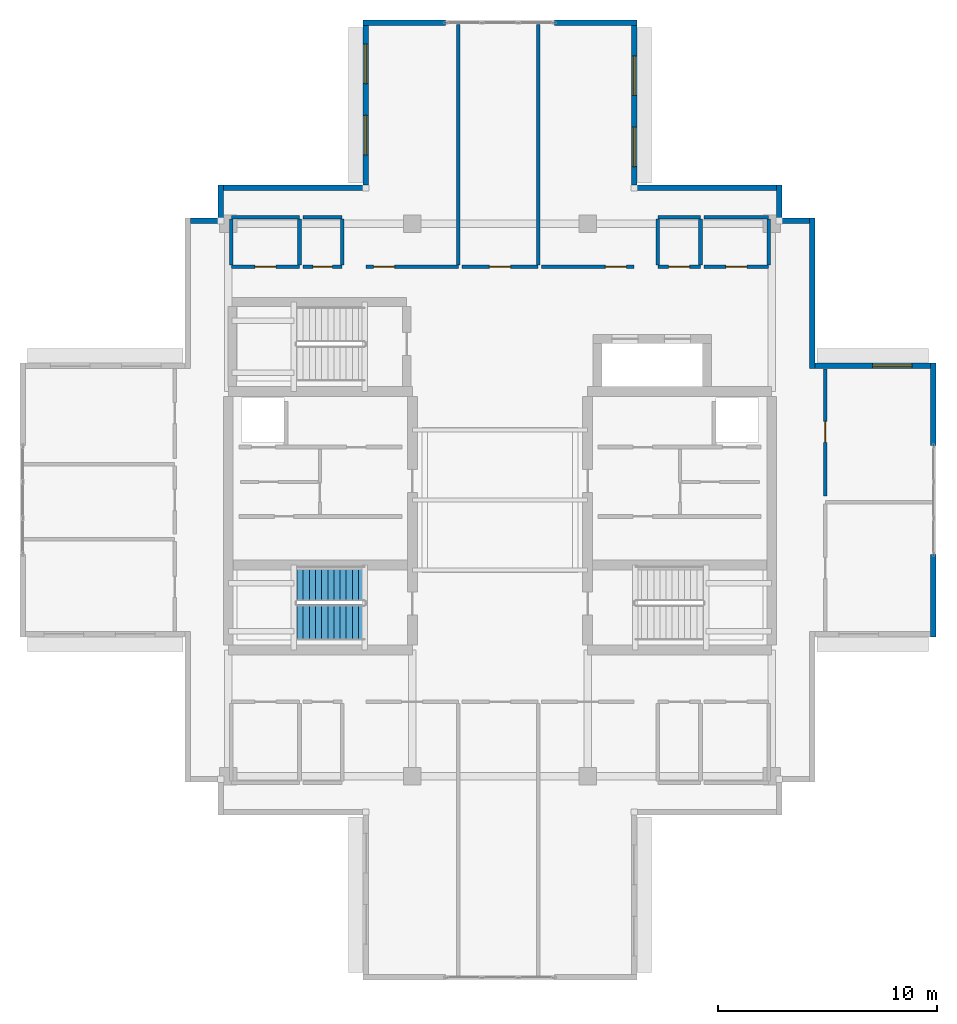
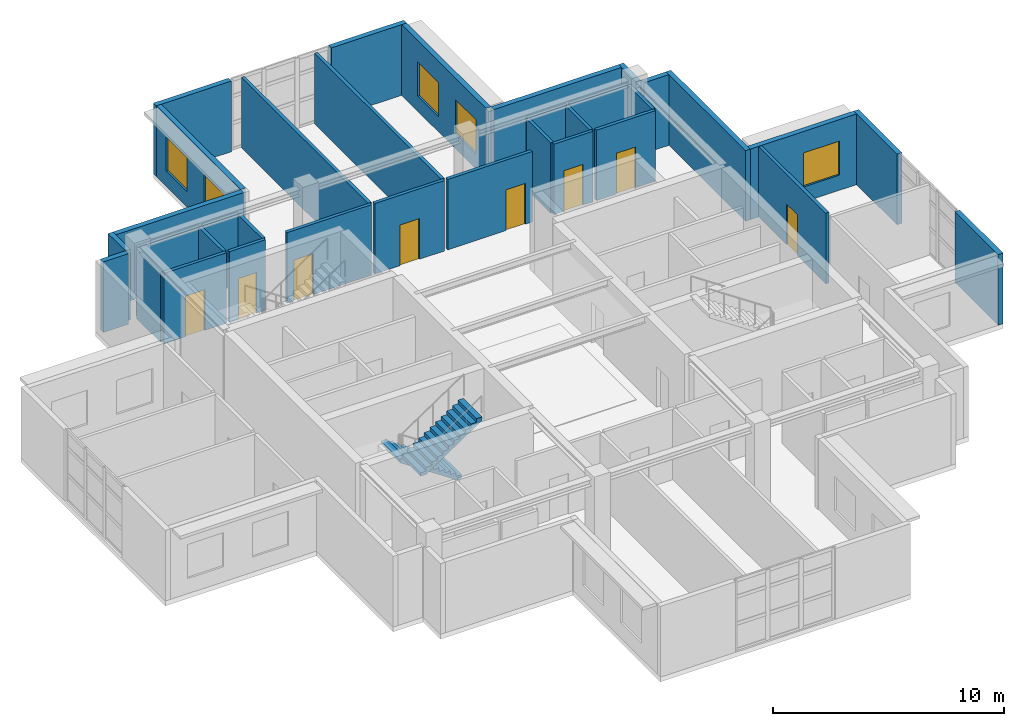
# One storey, part 12 of 16: 34 walls, 8 doors, 5 windows, 2 stair flights, 13 openings, 1 element without a shape of its own.
"""IFC4 building model written with IfcOpenShell, lengths in metres."""

from ifc_helpers import new_model, si_unit, direction, frame, frame_2d, origin, place, context, subcontext, project, spatial, polyline, rectangle, outline, extrude, material, layer, layer_set, type_object, element, fill, aggregate, save


model = new_model("IFC4")

# Units and contexts
model_context = context("Model", 3, precision=1e-05, world=origin(), true_north=direction((0.0, 1.0)))
body_context = subcontext(model_context, "Body", "Model", "MODEL_VIEW")
ifc_project = project(units=[si_unit("LENGTHUNIT", "METRE"), si_unit("AREAUNIT", "SQUARE_METRE"), si_unit("VOLUMEUNIT", "CUBIC_METRE"), si_unit("PLANEANGLEUNIT", "RADIAN"), si_unit("MASSUNIT", "GRAM", prefix="KILO")], contexts=[model_context])

# Site, building, storey
site_placement = place(None, origin())
site = spatial("IfcSite", under=ifc_project, at=site_placement, CompositionType="ELEMENT")
building_placement = place(site_placement, origin())
building = spatial("IfcBuilding", under=site, at=building_placement, Name="Qingluan Cross Belvedere", CompositionType="ELEMENT")
storey_placement = place(building_placement, frame((0.0, 0.0, 308.39990234375)))
storey = spatial("IfcBuildingStorey", under=building, at=storey_placement, Name="L76", CompositionType="ELEMENT", Elevation=308.39990234375)

# Wall, opening, door
ifc_material_1 = material(Name="Gypsum plasterboard on steel stud acoustic partition", Category="steel")
ifc_layer_1 = layer(ifc_material_1, 0.159912109375, Name="CorridorPartition_160")
ifc_layer_set_1 = layer_set([ifc_layer_1], Name="Gypsum plasterboard on steel stud acoustic partition")
wall_type_1 = type_object("IfcWallType", Name="CorridorPartition_160", PredefinedType="PARTITIONING", material=ifc_layer_set_1)
wall_1_placement = place(storey_placement, frame((-6.1201171875, 10.64990234375, 0.0), z_axis=(0.0, 0.0, 1.0), x_axis=(1.0, 0.0, 0.0)))
wall_1 = element("IfcWall", 1, at=wall_1_placement, inside=storey, type_object=wall_type_1, Name="Partition L76:sr_n1:S", PredefinedType="PARTITIONING", context=body_context, shape_type="SweptSolid", body=[
    extrude(rectangle(XDim=4.22021484375, YDim=0.159912109375, at=frame_2d((2.110107421875, 0.0))), origin(), (0.0, 0.0, 1.0), 3.72021484375),
])
opening_1_placement = place(wall_1_placement, frame((0.35009765625, 0.0, 0.0)))
opening_1 = element("IfcOpeningElement", 2, at=opening_1_placement, cuts=wall_1, Name="Opening GD-10", PredefinedType="OPENING", context=body_context, shape_type="SweptSolid", body=[
    extrude(rectangle(XDim=0.9599609375, YDim=2.14990234375, at=frame_2d((0.47998046875, 1.074951171875))), frame((0.0, 0.08984375, 0.0), z_axis=(0.0, -1.0, 0.0), x_axis=(1.0, 0.0, 0.0)), (0.0, 0.0, 1.0), 0.179931640625),
])
ifc_material_2 = material(Name="Timber oak fire-rated acoustic guestroom door", Category="wood")
door_type_1 = type_object("IfcDoorType", Name="GuestEntryDoor_FD60", OperationType="NOTDEFINED", PredefinedType="DOOR", material=ifc_material_2)
door_1_placement = place(opening_1_placement, origin())
door_1 = element("IfcDoor", 3, at=door_1_placement, inside=storey, type_object=door_type_1, Name="Upper sky dining room A L76 door", OperationType="SINGLE_SWING_RIGHT", OverallHeight=2.14990234375, OverallWidth=0.9599609375, PredefinedType="DOOR", context=body_context, shape_type="SweptSolid", body=[
    extrude(rectangle(XDim=0.9599609375, YDim=2.14990234375, at=frame_2d((0.47998046875, 1.074951171875))), frame((0.0, 0.02490234375, 0.0), z_axis=(0.0, -1.0, 0.0), x_axis=(1.0, 0.0, 0.0)), (0.0, 0.0, 1.0), 0.050048828125),
])
fill(opening_1, door_1)

# Wall
wall_2_placement = place(storey_placement, frame((-1.89990234375, 10.735107421875, 0.0), z_axis=(0.0, 0.0, 1.0), x_axis=(0.0, 1.0, 0.0)))
element("IfcWall", 4, at=wall_2_placement, inside=storey, type_object=wall_type_1, Name="Partition L76:sr_n1:E", PredefinedType="PARTITIONING", context=body_context, shape_type="SweptSolid", body=[
    extrude(rectangle(XDim=10.9599609375, YDim=0.159912109375, at=frame_2d((5.47998046875, 0.0))), origin(), (0.0, 0.0, 1.0), 3.72021484375),
])

# Wall, opening, door
wall_3_placement = place(storey_placement, frame((-1.739990234375, 10.64990234375, 0.0), z_axis=(0.0, 0.0, 1.0), x_axis=(1.0, 0.0, 0.0)))
wall_3 = element("IfcWall", 5, at=wall_3_placement, inside=storey, type_object=wall_type_1, Name="Partition L76:sr_n2:S", PredefinedType="PARTITIONING", context=body_context, shape_type="SweptSolid", body=[
    extrude(rectangle(XDim=3.47998046875, YDim=0.159912109375, at=frame_2d((1.739990234375, 0.0))), origin(), (0.0, 0.0, 1.0), 3.72021484375),
])
opening_2_placement = place(wall_3_placement, frame((1.260009765625, 0.0, 0.0)))
opening_2 = element("IfcOpeningElement", 6, at=opening_2_placement, cuts=wall_3, Name="Opening GD-10", PredefinedType="OPENING", context=body_context, shape_type="SweptSolid", body=[
    extrude(rectangle(XDim=0.9599609375, YDim=2.14990234375, at=frame_2d((0.47998046875, 1.074951171875))), frame((0.0, 0.08984375, 0.0), z_axis=(0.0, -1.0, 0.0), x_axis=(1.0, 0.0, 0.0)), (0.0, 0.0, 1.0), 0.179931640625),
])
door_2_placement = place(opening_2_placement, origin())
door_2 = element("IfcDoor", 7, at=door_2_placement, inside=storey, type_object=door_type_1, Name="Upper sky dining room B L76 door", OperationType="SINGLE_SWING_LEFT", OverallHeight=2.14990234375, OverallWidth=0.9599609375, PredefinedType="DOOR", context=body_context, shape_type="SweptSolid", body=[
    extrude(rectangle(XDim=0.9599609375, YDim=2.14990234375, at=frame_2d((0.47998046875, 1.074951171875))), frame((0.0, 0.02490234375, 0.0), z_axis=(0.0, -1.0, 0.0), x_axis=(1.0, 0.0, 0.0)), (0.0, 0.0, 1.0), 0.050048828125),
])
fill(opening_2, door_2)

# Wall
wall_4_placement = place(storey_placement, frame((1.739990234375, 10.735107421875, 0.0), z_axis=(0.0, 0.0, 1.0), x_axis=(0.0, 1.0, 0.0)))
element("IfcWall", 8, at=wall_4_placement, inside=storey, type_object=wall_type_1, Name="Partition L76:sr_n2:E", PredefinedType="PARTITIONING", context=body_context, shape_type="SweptSolid", body=[
    extrude(rectangle(XDim=10.9599609375, YDim=0.159912109375, at=frame_2d((5.47998046875, 0.0))), origin(), (0.0, 0.0, 1.0), 3.72021484375),
])

# Wall, opening, door
wall_5_placement = place(storey_placement, frame((1.89990234375, 10.64990234375, 0.0), z_axis=(0.0, 0.0, 1.0), x_axis=(1.0, 0.0, 0.0)))
wall_5 = element("IfcWall", 9, at=wall_5_placement, inside=storey, type_object=wall_type_1, Name="Partition L76:sr_n3:S", PredefinedType="PARTITIONING", context=body_context, shape_type="SweptSolid", body=[
    extrude(rectangle(XDim=4.22021484375, YDim=0.159912109375, at=frame_2d((2.110107421875, 0.0))), origin(), (0.0, 0.0, 1.0), 3.72021484375),
])
opening_3_placement = place(wall_5_placement, frame((2.909912109375, 0.0, 0.0)))
opening_3 = element("IfcOpeningElement", 10, at=opening_3_placement, cuts=wall_5, Name="Opening GD-10", PredefinedType="OPENING", context=body_context, shape_type="SweptSolid", body=[
    extrude(rectangle(XDim=0.9599609375, YDim=2.14990234375, at=frame_2d((0.47998046875, 1.074951171875))), frame((0.0, 0.08984375, 0.0), z_axis=(0.0, -1.0, 0.0), x_axis=(1.0, 0.0, 0.0)), (0.0, 0.0, 1.0), 0.179931640625),
])
door_3_placement = place(opening_3_placement, origin())
door_3 = element("IfcDoor", 11, at=door_3_placement, inside=storey, type_object=door_type_1, Name="Upper sky dining room C L76 door", OperationType="SINGLE_SWING_RIGHT", OverallHeight=2.14990234375, OverallWidth=0.9599609375, PredefinedType="DOOR", context=body_context, shape_type="SweptSolid", body=[
    extrude(rectangle(XDim=0.9599609375, YDim=2.14990234375, at=frame_2d((0.47998046875, 1.074951171875))), frame((0.0, 0.02490234375, 0.0), z_axis=(0.0, -1.0, 0.0), x_axis=(1.0, 0.0, 0.0)), (0.0, 0.0, 1.0), 0.050048828125),
])
fill(opening_3, door_3)

wall_6_placement = place(storey_placement, frame((14.85009765625, 0.18505859375, 0.0), z_axis=(0.0, 0.0, 1.0), x_axis=(0.0, 1.0, 0.0)))
wall_6 = element("IfcWall", 12, at=wall_6_placement, inside=storey, type_object=wall_type_1, Name="Partition L76:sr_e2:W", PredefinedType="PARTITIONING", context=body_context, shape_type="SweptSolid", body=[
    extrude(rectangle(XDim=5.802001953125, YDim=0.159912109375, at=frame_2d((2.90087890625, 0.0))), origin(), (0.0, 0.0, 1.0), 3.72021484375),
])
opening_4_placement = place(wall_6_placement, frame((2.445068359375, 0.0, 0.0)))
opening_4 = element("IfcOpeningElement", 13, at=opening_4_placement, cuts=wall_6, Name="Opening GD-10", PredefinedType="OPENING", context=body_context, shape_type="SweptSolid", body=[
    extrude(rectangle(XDim=0.9599609375, YDim=2.14990234375, at=frame_2d((0.47998046875, 1.074951171875))), frame((0.0, 0.08984375, 0.0), z_axis=(0.0, -1.0, 0.0), x_axis=(1.0, 0.0, 0.0)), (0.0, 0.0, 1.0), 0.179931640625),
])
door_4_placement = place(opening_4_placement, origin())
door_4 = element("IfcDoor", 14, at=door_4_placement, inside=storey, type_object=door_type_1, Name="Upper chef table boardroom L76 door", OperationType="SINGLE_SWING_RIGHT", OverallHeight=2.14990234375, OverallWidth=0.9599609375, PredefinedType="DOOR", context=body_context, shape_type="SweptSolid", body=[
    extrude(rectangle(XDim=0.9599609375, YDim=2.14990234375, at=frame_2d((0.47998046875, 1.074951171875))), frame((0.0, 0.02490234375, 0.0), z_axis=(0.0, -1.0, 0.0), x_axis=(1.0, 0.0, 0.0)), (0.0, 0.0, 1.0), 0.050048828125),
])
fill(opening_4, door_4)

wall_7_placement = place(storey_placement, frame((-12.260009765625, 10.64990234375, 0.0), z_axis=(0.0, 0.0, 1.0), x_axis=(1.0, 0.0, 0.0)))
wall_7 = element("IfcWall", 15, at=wall_7_placement, inside=storey, type_object=wall_type_1, Name="Partition L76:crown_wc:S", PredefinedType="PARTITIONING", context=body_context, shape_type="SweptSolid", body=[
    extrude(rectangle(XDim=3.110107421875, YDim=0.159912109375, at=frame_2d((1.55517578125, 0.0))), origin(), (0.0, 0.0, 1.0), 3.72021484375),
])
opening_5_placement = place(wall_7_placement, frame((1.074951171875, 0.0, 0.0)))
opening_5 = element("IfcOpeningElement", 16, at=opening_5_placement, cuts=wall_7, Name="Opening GD-10", PredefinedType="OPENING", context=body_context, shape_type="SweptSolid", body=[
    extrude(rectangle(XDim=0.9599609375, YDim=2.14990234375, at=frame_2d((0.47998046875, 1.074951171875))), frame((0.0, 0.08984375, 0.0), z_axis=(0.0, -1.0, 0.0), x_axis=(1.0, 0.0, 0.0)), (0.0, 0.0, 1.0), 0.179931640625),
])
door_5_placement = place(opening_5_placement, origin())
door_5 = element("IfcDoor", 17, at=door_5_placement, inside=storey, type_object=door_type_1, Name="Restaurant washrooms L76 door", OperationType="SINGLE_SWING_LEFT", OverallHeight=2.14990234375, OverallWidth=0.9599609375, PredefinedType="DOOR", context=body_context, shape_type="SweptSolid", body=[
    extrude(rectangle(XDim=0.9599609375, YDim=2.14990234375, at=frame_2d((0.47998046875, 1.074951171875))), frame((0.0, 0.02490234375, 0.0), z_axis=(0.0, -1.0, 0.0), x_axis=(1.0, 0.0, 0.0)), (0.0, 0.0, 1.0), 0.050048828125),
])
fill(opening_5, door_5)

# Walls
wall_8_placement = place(storey_placement, frame((-12.260009765625, 12.909912109375, 0.0), z_axis=(0.0, 0.0, 1.0), x_axis=(1.0, 0.0, 0.0)))
element("IfcWall", 18, at=wall_8_placement, inside=storey, type_object=wall_type_1, Name="Partition L76:crown_wc:N", PredefinedType="PARTITIONING", context=body_context, shape_type="SweptSolid", body=[
    extrude(rectangle(XDim=3.110107421875, YDim=0.159912109375, at=frame_2d((1.55517578125, 0.0))), origin(), (0.0, 0.0, 1.0), 3.72021484375),
])
for number, where, z_axis, x_axis, name in (
    (19, (-12.260009765625, 10.735107421875, 0.0), (0.0, 0.0, 1.0), (0.0, 1.0, 0.0), "Partition L76:crown_wc:W"),
    (20, (-9.14990234375, 10.735107421875, 0.0), (0.0, 0.0, 1.0), (0.0, 1.0, 0.0), "Partition L76:crown_wc:E"),
):
    element("IfcWall", number, at=place(storey_placement, frame(where, z_axis=z_axis, x_axis=x_axis)), inside=storey, type_object=wall_type_1, Name=name, PredefinedType="PARTITIONING", context=body_context, shape_type="SweptSolid", body=[
        extrude(rectangle(XDim=2.08984375, YDim=0.159912109375, at=frame_2d((1.044921875, 0.0))), origin(), (0.0, 0.0, 1.0), 3.72021484375),
    ])

# Wall, opening, door
wall_9_placement = place(storey_placement, frame((-8.989990234375, 10.64990234375, 0.0), z_axis=(0.0, 0.0, 1.0), x_axis=(1.0, 0.0, 0.0)))
wall_9 = element("IfcWall", 21, at=wall_9_placement, inside=storey, type_object=wall_type_1, Name="Partition L76:crown_acc:S", PredefinedType="PARTITIONING", context=body_context, shape_type="SweptSolid", body=[
    extrude(rectangle(XDim=1.7900390625, YDim=0.159912109375, at=frame_2d((0.89501953125, 0.0))), origin(), (0.0, 0.0, 1.0), 3.72021484375),
])
opening_6_placement = place(wall_9_placement, frame((0.445068359375, 0.0, 0.0)))
opening_6 = element("IfcOpeningElement", 22, at=opening_6_placement, cuts=wall_9, Name="Opening BD-90", PredefinedType="OPENING", context=body_context, shape_type="SweptSolid", body=[
    extrude(rectangle(XDim=0.89990234375, YDim=2.14990234375, at=frame_2d((0.449951171875, 1.074951171875))), frame((0.0, 0.08984375, 0.0), z_axis=(0.0, -1.0, 0.0), x_axis=(1.0, 0.0, 0.0)), (0.0, 0.0, 1.0), 0.179931640625),
])
ifc_material_3 = material(Name="Moisture-sealed timber washroom door", Category="wood")
door_type_2 = type_object("IfcDoorType", Name="AccessibleWCDoor_900", OperationType="NOTDEFINED", PredefinedType="DOOR", material=ifc_material_3)
door_6_placement = place(opening_6_placement, origin())
door_6 = element("IfcDoor", 23, at=door_6_placement, inside=storey, type_object=door_type_2, Name="Accessible toilet L76 door", OperationType="SINGLE_SWING_RIGHT", OverallHeight=2.14990234375, OverallWidth=0.89990234375, PredefinedType="DOOR", context=body_context, shape_type="SweptSolid", body=[
    extrude(rectangle(XDim=0.89990234375, YDim=2.14990234375, at=frame_2d((0.449951171875, 1.074951171875))), frame((0.0, 0.02490234375, 0.0), z_axis=(0.0, -1.0, 0.0), x_axis=(1.0, 0.0, 0.0)), (0.0, 0.0, 1.0), 0.050048828125),
])
fill(opening_6, door_6)

# Walls
wall_10_placement = place(storey_placement, frame((-8.989990234375, 12.909912109375, 0.0), z_axis=(0.0, 0.0, 1.0), x_axis=(1.0, 0.0, 0.0)))
element("IfcWall", 24, at=wall_10_placement, inside=storey, type_object=wall_type_1, Name="Partition L76:crown_acc:N", PredefinedType="PARTITIONING", context=body_context, shape_type="SweptSolid", body=[
    extrude(rectangle(XDim=1.7900390625, YDim=0.159912109375, at=frame_2d((0.89501953125, 0.0))), origin(), (0.0, 0.0, 1.0), 3.72021484375),
])
wall_11_placement = place(storey_placement, frame((-7.199951171875, 10.735107421875, 0.0), z_axis=(0.0, 0.0, 1.0), x_axis=(0.0, 1.0, 0.0)))
element("IfcWall", 25, at=wall_11_placement, inside=storey, type_object=wall_type_1, Name="Partition L76:crown_acc:E", PredefinedType="PARTITIONING", context=body_context, shape_type="SweptSolid", body=[
    extrude(rectangle(XDim=2.08984375, YDim=0.159912109375, at=frame_2d((1.044921875, 0.0))), origin(), (0.0, 0.0, 1.0), 3.72021484375),
])

# Wall, opening, door
wall_12_placement = place(storey_placement, frame((7.199951171875, 10.64990234375, 0.0), z_axis=(0.0, 0.0, 1.0), x_axis=(1.0, 0.0, 0.0)))
wall_12 = element("IfcWall", 26, at=wall_12_placement, inside=storey, type_object=wall_type_1, Name="Partition L76:crown_ne1:S", PredefinedType="PARTITIONING", context=body_context, shape_type="SweptSolid", body=[
    extrude(rectangle(XDim=1.949951171875, YDim=0.159912109375, at=frame_2d((0.97509765625, 0.0))), origin(), (0.0, 0.0, 1.0), 3.72021484375),
])
opening_7_placement = place(wall_12_placement, frame((0.4951171875, 0.0, 0.0)))
opening_7 = element("IfcOpeningElement", 27, at=opening_7_placement, cuts=wall_12, Name="Opening GD-10", PredefinedType="OPENING", context=body_context, shape_type="SweptSolid", body=[
    extrude(rectangle(XDim=0.9599609375, YDim=2.14990234375, at=frame_2d((0.47998046875, 1.074951171875))), frame((0.0, 0.08984375, 0.0), z_axis=(0.0, -1.0, 0.0), x_axis=(1.0, 0.0, 0.0)), (0.0, 0.0, 1.0), 0.179931640625),
])
door_7_placement = place(opening_7_placement, origin())
door_7 = element("IfcDoor", 28, at=door_7_placement, inside=storey, type_object=door_type_1, Name="Upper tea tasting room L76 door", OperationType="SINGLE_SWING_LEFT", OverallHeight=2.14990234375, OverallWidth=0.9599609375, PredefinedType="DOOR", context=body_context, shape_type="SweptSolid", body=[
    extrude(rectangle(XDim=0.9599609375, YDim=2.14990234375, at=frame_2d((0.47998046875, 1.074951171875))), frame((0.0, 0.02490234375, 0.0), z_axis=(0.0, -1.0, 0.0), x_axis=(1.0, 0.0, 0.0)), (0.0, 0.0, 1.0), 0.050048828125),
])
fill(opening_7, door_7)

# Walls
wall_13_placement = place(storey_placement, frame((7.199951171875, 12.909912109375, 0.0), z_axis=(0.0, 0.0, 1.0), x_axis=(1.0, 0.0, 0.0)))
element("IfcWall", 29, at=wall_13_placement, inside=storey, type_object=wall_type_1, Name="Partition L76:crown_ne1:N", PredefinedType="PARTITIONING", context=body_context, shape_type="SweptSolid", body=[
    extrude(rectangle(XDim=1.949951171875, YDim=0.159912109375, at=frame_2d((0.97509765625, 0.0))), origin(), (0.0, 0.0, 1.0), 3.72021484375),
])
for number, where, z_axis, x_axis, name in (
    (30, (7.199951171875, 10.735107421875, 0.0), (0.0, 0.0, 1.0), (0.0, 1.0, 0.0), "Partition L76:crown_ne1:W"),
    (31, (9.14990234375, 10.735107421875, 0.0), (0.0, 0.0, 1.0), (0.0, 1.0, 0.0), "Partition L76:crown_ne1:E"),
):
    element("IfcWall", number, at=place(storey_placement, frame(where, z_axis=z_axis, x_axis=x_axis)), inside=storey, type_object=wall_type_1, Name=name, PredefinedType="PARTITIONING", context=body_context, shape_type="SweptSolid", body=[
        extrude(rectangle(XDim=2.08984375, YDim=0.159912109375, at=frame_2d((1.044921875, 0.0))), origin(), (0.0, 0.0, 1.0), 3.72021484375),
    ])

# Wall, opening, door
wall_14_placement = place(storey_placement, frame((9.31005859375, 10.64990234375, 0.0), z_axis=(0.0, 0.0, 1.0), x_axis=(1.0, 0.0, 0.0)))
wall_14 = element("IfcWall", 32, at=wall_14_placement, inside=storey, type_object=wall_type_1, Name="Partition L76:crown_ne2:S", PredefinedType="PARTITIONING", context=body_context, shape_type="SweptSolid", body=[
    extrude(rectangle(XDim=2.949951171875, YDim=0.159912109375, at=frame_2d((1.47509765625, 0.0))), origin(), (0.0, 0.0, 1.0), 3.72021484375),
])
opening_8_placement = place(wall_14_placement, frame((0.9951171875, 0.0, 0.0)))
opening_8 = element("IfcOpeningElement", 33, at=opening_8_placement, cuts=wall_14, Name="Opening GD-10", PredefinedType="OPENING", context=body_context, shape_type="SweptSolid", body=[
    extrude(rectangle(XDim=0.9599609375, YDim=2.14990234375, at=frame_2d((0.47998046875, 1.074951171875))), frame((0.0, 0.08984375, 0.0), z_axis=(0.0, -1.0, 0.0), x_axis=(1.0, 0.0, 0.0)), (0.0, 0.0, 1.0), 0.179931640625),
])
door_8_placement = place(opening_8_placement, origin())
door_8 = element("IfcDoor", 34, at=door_8_placement, inside=storey, type_object=door_type_1, Name="Upper sommelier cellar L76 door", OperationType="SINGLE_SWING_RIGHT", OverallHeight=2.14990234375, OverallWidth=0.9599609375, PredefinedType="DOOR", context=body_context, shape_type="SweptSolid", body=[
    extrude(rectangle(XDim=0.9599609375, YDim=2.14990234375, at=frame_2d((0.47998046875, 1.074951171875))), frame((0.0, 0.02490234375, 0.0), z_axis=(0.0, -1.0, 0.0), x_axis=(1.0, 0.0, 0.0)), (0.0, 0.0, 1.0), 0.050048828125),
])
fill(opening_8, door_8)

# Walls
wall_15_placement = place(storey_placement, frame((9.31005859375, 12.909912109375, 0.0), z_axis=(0.0, 0.0, 1.0), x_axis=(1.0, 0.0, 0.0)))
element("IfcWall", 35, at=wall_15_placement, inside=storey, type_object=wall_type_1, Name="Partition L76:crown_ne2:N", PredefinedType="PARTITIONING", context=body_context, shape_type="SweptSolid", body=[
    extrude(rectangle(XDim=2.949951171875, YDim=0.159912109375, at=frame_2d((1.47509765625, 0.0))), origin(), (0.0, 0.0, 1.0), 3.72021484375),
])
wall_16_placement = place(storey_placement, frame((12.260009765625, 10.735107421875, 0.0), z_axis=(0.0, 0.0, 1.0), x_axis=(0.0, 1.0, 0.0)))
element("IfcWall", 36, at=wall_16_placement, inside=storey, type_object=wall_type_1, Name="Partition L76:crown_ne2:E", PredefinedType="PARTITIONING", context=body_context, shape_type="SweptSolid", body=[
    extrude(rectangle(XDim=2.08984375, YDim=0.159912109375, at=frame_2d((1.044921875, 0.0))), origin(), (0.0, 0.0, 1.0), 3.72021484375),
])

# Wall, opening, window
ifc_material_4 = material(Name="Precast concrete C45", Category="concrete")
ifc_layer_2 = layer(ifc_material_4, 0.25, Name="PrecastCrownWall_250")
ifc_layer_set_2 = layer_set([ifc_layer_2], Name="Precast concrete C45")
wall_type_2 = type_object("IfcWallType", Name="PrecastCrownWall_250", PredefinedType="STANDARD", material=ifc_layer_set_2)
wall_17_placement = place(storey_placement, frame((19.655029296875, 6.1201171875, 0.0), z_axis=(0.0, 0.0, 1.0), x_axis=(-1.0, 0.0, 0.0)))
wall_17 = element("IfcWall", 37, at=wall_17_placement, inside=storey, type_object=wall_type_2, Name="Facade wall L76-EB", PredefinedType="STANDARD", context=body_context, shape_type="SweptSolid", body=[
    extrude(rectangle(XDim=5.2900390625, YDim=0.25, at=frame_2d((2.64501953125, 0.0))), origin(), (0.0, 0.0, 1.0), 3.72998046875),
])
opening_9_placement = place(wall_17_placement, frame((0.85009765625, 0.0, 0.800048828125)))
opening_9 = element("IfcOpeningElement", 38, at=opening_9_placement, cuts=wall_17, Name="Opening W-05", PredefinedType="OPENING", context=body_context, shape_type="SweptSolid", body=[
    extrude(rectangle(XDim=1.800048828125, YDim=1.800048828125, at=frame_2d((0.89990234375, 0.89990234375))), frame((0.0, 0.135009765625, 0.0), z_axis=(0.0, -1.0, 0.0), x_axis=(1.0, 0.0, 0.0)), (0.0, 0.0, 1.0), 0.27001953125),
])
ifc_material_5 = material(Name="Thermally broken triple Low-E glass in aluminium frame", Category="aluminium")
window_type = type_object("IfcWindowType", Name="CrownBelvedereWin_1800x1800", PartitioningType="SINGLE_PANEL", PredefinedType="WINDOW", material=ifc_material_5)
window_1_placement = place(opening_9_placement, origin())
window_1 = element("IfcWindow", 39, at=window_1_placement, inside=storey, type_object=window_type, Name="Ribbon window L76-EB-1", OverallHeight=1.800048828125, OverallWidth=1.800048828125, PartitioningType="SINGLE_PANEL", PredefinedType="WINDOW", context=body_context, shape_type="SweptSolid", body=[
    extrude(rectangle(XDim=1.800048828125, YDim=1.800048828125, at=frame_2d((0.89990234375, 0.89990234375))), frame((0.0, 0.030029296875, 0.0), z_axis=(0.0, -1.0, 0.0), x_axis=(1.0, 0.0, 0.0)), (0.0, 0.0, 1.0), 0.06005859375),
])
fill(opening_9, window_1)

# Walls
for number, where, z_axis, x_axis, name in (
    (40, (19.780029296875, -6.2451171875, 0.0), (0.0, 0.0, 1.0), (0.0, 1.0, 0.0), "Terrace portal jamb wall L76-E1"),
    (41, (19.780029296875, 2.498046875, 0.0), (0.0, 0.0, 1.0), (0.0, 1.0, 0.0), "Terrace portal jamb wall L76-E2"),
):
    element("IfcWall", number, at=place(storey_placement, frame(where, z_axis=z_axis, x_axis=x_axis)), inside=storey, type_object=wall_type_2, Name=name, PredefinedType="STANDARD", context=body_context, shape_type="SweptSolid", body=[
        extrude(rectangle(XDim=3.7470703125, YDim=0.25, at=frame_2d((1.87353515625, 0.0))), origin(), (0.0, 0.0, 1.0), 3.72998046875),
    ])

# Wall, openings, windows
wall_18_placement = place(storey_placement, frame((6.1201171875, 14.364990234375, 0.0), z_axis=(0.0, 0.0, 1.0), x_axis=(0.0, 1.0, 0.0)))
wall_18 = element("IfcWall", 42, at=wall_18_placement, inside=storey, type_object=wall_type_2, Name="Facade wall L76-NA", PredefinedType="STANDARD", context=body_context, shape_type="SweptSolid", body=[
    extrude(rectangle(XDim=7.2900390625, YDim=0.25, at=frame_2d((3.64501953125, 0.0))), origin(), (0.0, 0.0, 1.0), 3.72998046875),
])
opening_10_placement = place(wall_18_placement, frame((0.85009765625, 0.0, 0.800048828125)))
opening_10 = element("IfcOpeningElement", 43, at=opening_10_placement, cuts=wall_18, Name="Opening W-05", PredefinedType="OPENING", context=body_context, shape_type="SweptSolid", body=[
    extrude(rectangle(XDim=1.800048828125, YDim=1.800048828125, at=frame_2d((0.89990234375, 0.89990234375))), frame((0.0, 0.135009765625, 0.0), z_axis=(0.0, -1.0, 0.0), x_axis=(1.0, 0.0, 0.0)), (0.0, 0.0, 1.0), 0.27001953125),
])
opening_11_placement = place(wall_18_placement, frame((4.10009765625, 0.0, 0.800048828125)))
opening_11 = element("IfcOpeningElement", 44, at=opening_11_placement, cuts=wall_18, Name="Opening W-05", PredefinedType="OPENING", context=body_context, shape_type="SweptSolid", body=[
    extrude(rectangle(XDim=1.800048828125, YDim=1.800048828125, at=frame_2d((0.89990234375, 0.89990234375))), frame((0.0, 0.135009765625, 0.0), z_axis=(0.0, -1.0, 0.0), x_axis=(1.0, 0.0, 0.0)), (0.0, 0.0, 1.0), 0.27001953125),
])
window_2_placement = place(opening_10_placement, origin())
window_2 = element("IfcWindow", 45, at=window_2_placement, inside=storey, type_object=window_type, Name="Ribbon window L76-NA-1", OverallHeight=1.800048828125, OverallWidth=1.800048828125, PartitioningType="SINGLE_PANEL", PredefinedType="WINDOW", context=body_context, shape_type="SweptSolid", body=[
    extrude(rectangle(XDim=1.800048828125, YDim=1.800048828125, at=frame_2d((0.89990234375, 0.89990234375))), frame((0.0, 0.030029296875, 0.0), z_axis=(0.0, -1.0, 0.0), x_axis=(1.0, 0.0, 0.0)), (0.0, 0.0, 1.0), 0.06005859375),
])
fill(opening_10, window_2)
window_3_placement = place(opening_11_placement, origin())
window_3 = element("IfcWindow", 46, at=window_3_placement, inside=storey, type_object=window_type, Name="Ribbon window L76-NA-2", OverallHeight=1.800048828125, OverallWidth=1.800048828125, PartitioningType="SINGLE_PANEL", PredefinedType="WINDOW", context=body_context, shape_type="SweptSolid", body=[
    extrude(rectangle(XDim=1.800048828125, YDim=1.800048828125, at=frame_2d((0.89990234375, 0.89990234375))), frame((0.0, 0.030029296875, 0.0), z_axis=(0.0, -1.0, 0.0), x_axis=(1.0, 0.0, 0.0)), (0.0, 0.0, 1.0), 0.06005859375),
])
fill(opening_11, window_3)

wall_19_placement = place(storey_placement, frame((-6.1201171875, 21.655029296875, 0.0), z_axis=(0.0, 0.0, 1.0), x_axis=(0.0, -1.0, 0.0)))
wall_19 = element("IfcWall", 47, at=wall_19_placement, inside=storey, type_object=wall_type_2, Name="Facade wall L76-NB", PredefinedType="STANDARD", context=body_context, shape_type="SweptSolid", body=[
    extrude(rectangle(XDim=7.2900390625, YDim=0.25, at=frame_2d((3.64501953125, 0.0))), origin(), (0.0, 0.0, 1.0), 3.72998046875),
])
opening_12_placement = place(wall_19_placement, frame((0.85009765625, 0.0, 0.800048828125)))
opening_12 = element("IfcOpeningElement", 48, at=opening_12_placement, cuts=wall_19, Name="Opening W-05", PredefinedType="OPENING", context=body_context, shape_type="SweptSolid", body=[
    extrude(rectangle(XDim=1.800048828125, YDim=1.800048828125, at=frame_2d((0.89990234375, 0.89990234375))), frame((0.0, 0.135009765625, 0.0), z_axis=(0.0, -1.0, 0.0), x_axis=(1.0, 0.0, 0.0)), (0.0, 0.0, 1.0), 0.27001953125),
])
opening_13_placement = place(wall_19_placement, frame((4.10009765625, 0.0, 0.800048828125)))
opening_13 = element("IfcOpeningElement", 49, at=opening_13_placement, cuts=wall_19, Name="Opening W-05", PredefinedType="OPENING", context=body_context, shape_type="SweptSolid", body=[
    extrude(rectangle(XDim=1.800048828125, YDim=1.800048828125, at=frame_2d((0.89990234375, 0.89990234375))), frame((0.0, 0.135009765625, 0.0), z_axis=(0.0, -1.0, 0.0), x_axis=(1.0, 0.0, 0.0)), (0.0, 0.0, 1.0), 0.27001953125),
])
window_4_placement = place(opening_12_placement, origin())
window_4 = element("IfcWindow", 50, at=window_4_placement, inside=storey, type_object=window_type, Name="Ribbon window L76-NB-1", OverallHeight=1.800048828125, OverallWidth=1.800048828125, PartitioningType="SINGLE_PANEL", PredefinedType="WINDOW", context=body_context, shape_type="SweptSolid", body=[
    extrude(rectangle(XDim=1.800048828125, YDim=1.800048828125, at=frame_2d((0.89990234375, 0.89990234375))), frame((0.0, 0.030029296875, 0.0), z_axis=(0.0, -1.0, 0.0), x_axis=(1.0, 0.0, 0.0)), (0.0, 0.0, 1.0), 0.06005859375),
])
fill(opening_12, window_4)
window_5_placement = place(opening_13_placement, origin())
window_5 = element("IfcWindow", 51, at=window_5_placement, inside=storey, type_object=window_type, Name="Ribbon window L76-NB-2", OverallHeight=1.800048828125, OverallWidth=1.800048828125, PartitioningType="SINGLE_PANEL", PredefinedType="WINDOW", context=body_context, shape_type="SweptSolid", body=[
    extrude(rectangle(XDim=1.800048828125, YDim=1.800048828125, at=frame_2d((0.89990234375, 0.89990234375))), frame((0.0, 0.030029296875, 0.0), z_axis=(0.0, -1.0, 0.0), x_axis=(1.0, 0.0, 0.0)), (0.0, 0.0, 1.0), 0.06005859375),
])
fill(opening_13, window_5)

# Walls
for number, where, z_axis, x_axis, name in (
    (52, (6.2451171875, 21.780029296875, 0.0), (0.0, 0.0, 1.0), (-1.0, 0.0, 0.0), "Terrace portal jamb wall L76-N1"),
    (53, (-2.498046875, 21.780029296875, 0.0), (0.0, 0.0, 1.0), (-1.0, 0.0, 0.0), "Terrace portal jamb wall L76-N2"),
):
    element("IfcWall", number, at=place(storey_placement, frame(where, z_axis=z_axis, x_axis=x_axis)), inside=storey, type_object=wall_type_2, Name=name, PredefinedType="STANDARD", context=body_context, shape_type="SweptSolid", body=[
        extrude(rectangle(XDim=3.7470703125, YDim=0.25, at=frame_2d((1.87353515625, 0.0))), origin(), (0.0, 0.0, 1.0), 3.72998046875),
    ])
wall_20_placement = place(storey_placement, frame((14.239990234375, 5.9951171875, 0.0), z_axis=(0.0, 0.0, 1.0), x_axis=(0.0, 1.0, 0.0)))
element("IfcWall", 54, at=wall_20_placement, inside=storey, type_object=wall_type_2, Name="Corner wall L76-NE1", PredefinedType="STANDARD", context=body_context, shape_type="SweptSolid", body=[
    extrude(rectangle(XDim=6.869873046875, YDim=0.25, at=frame_2d((3.43505859375, 0.0))), origin(), (0.0, 0.0, 1.0), 3.72998046875),
])
wall_21_placement = place(storey_placement, frame((14.114990234375, 12.739990234375, 0.0), z_axis=(0.0, 0.0, 1.0), x_axis=(-1.0, 0.0, 0.0)))
element("IfcWall", 55, at=wall_21_placement, inside=storey, type_object=wall_type_2, Name="Corner wall L76-NE2", PredefinedType="STANDARD", context=body_context, shape_type="SweptSolid", body=[
    extrude(rectangle(XDim=1.25, YDim=0.25, at=frame_2d((0.625, 0.0))), origin(), (0.0, 0.0, 1.0), 3.72998046875),
])
wall_22_placement = place(storey_placement, frame((12.739990234375, 12.864990234375, 0.0), z_axis=(0.0, 0.0, 1.0), x_axis=(0.0, 1.0, 0.0)))
element("IfcWall", 56, at=wall_22_placement, inside=storey, type_object=wall_type_2, Name="Corner wall L76-NE3", PredefinedType="STANDARD", context=body_context, shape_type="SweptSolid", body=[
    extrude(rectangle(XDim=1.5, YDim=0.25, at=frame_2d((0.75, 0.0))), origin(), (0.0, 0.0, 1.0), 3.72998046875),
])
wall_23_placement = place(storey_placement, frame((12.614990234375, 14.239990234375, 0.0), z_axis=(0.0, 0.0, 1.0), x_axis=(-1.0, 0.0, 0.0)))
element("IfcWall", 57, at=wall_23_placement, inside=storey, type_object=wall_type_2, Name="Corner wall L76-NE4", PredefinedType="STANDARD", context=body_context, shape_type="SweptSolid", body=[
    extrude(rectangle(XDim=6.369873046875, YDim=0.25, at=frame_2d((3.18505859375, 0.0))), origin(), (0.0, 0.0, 1.0), 3.72998046875),
])
wall_24_placement = place(storey_placement, frame((-14.114990234375, 12.739990234375, 0.0), z_axis=(0.0, 0.0, 1.0), x_axis=(1.0, 0.0, 0.0)))
element("IfcWall", 58, at=wall_24_placement, inside=storey, type_object=wall_type_2, Name="Corner wall L76-NW2", PredefinedType="STANDARD", context=body_context, shape_type="SweptSolid", body=[
    extrude(rectangle(XDim=1.25, YDim=0.25, at=frame_2d((0.625, 0.0))), origin(), (0.0, 0.0, 1.0), 3.72998046875),
])
wall_25_placement = place(storey_placement, frame((-12.739990234375, 12.864990234375, 0.0), z_axis=(0.0, 0.0, 1.0), x_axis=(0.0, 1.0, 0.0)))
element("IfcWall", 59, at=wall_25_placement, inside=storey, type_object=wall_type_2, Name="Corner wall L76-NW3", PredefinedType="STANDARD", context=body_context, shape_type="SweptSolid", body=[
    extrude(rectangle(XDim=1.5, YDim=0.25, at=frame_2d((0.75, 0.0))), origin(), (0.0, 0.0, 1.0), 3.72998046875),
])
wall_26_placement = place(storey_placement, frame((-12.614990234375, 14.239990234375, 0.0), z_axis=(0.0, 0.0, 1.0), x_axis=(1.0, 0.0, 0.0)))
element("IfcWall", 60, at=wall_26_placement, inside=storey, type_object=wall_type_2, Name="Corner wall L76-NW4", PredefinedType="STANDARD", context=body_context, shape_type="SweptSolid", body=[
    extrude(rectangle(XDim=6.369873046875, YDim=0.25, at=frame_2d((3.18505859375, 0.0))), origin(), (0.0, 0.0, 1.0), 3.72998046875),
])

# Stair, stair flights
ifc_material_6 = material(Name="Concrete C40", Category="concrete")
stair_type = type_object("IfcStairType", Name="CoreDoglegStair_1620", PredefinedType="HALF_TURN_STAIR", material=ifc_material_6)
stair_placement = place(storey_placement, origin())
stair = element("IfcStair", 61, at=stair_placement, inside=storey, type_object=stair_type, Name="L76 ST1", PredefinedType="HALF_TURN_STAIR")
ifc_material_7 = material(Name="Concrete C40", Category="concrete")
ifc_layer_3 = layer(ifc_material_7, 0.179931640625, Name="StairFlight_RC180")
ifc_layer_set_3 = layer_set([ifc_layer_3], Name="Concrete C40")
stair_flight_type = type_object("IfcStairFlightType", Name="StairFlight_RC180", PredefinedType="STRAIGHT", material=ifc_layer_set_3)
stair_flight_1_placement = place(storey_placement, frame((-6.179931640625, -3.81005859375, 0.0), z_axis=(0.0, 0.0, 1.0), x_axis=(-1.0, 0.0, 0.0)))
stair_flight_1 = element("IfcStairFlight", 62, at=stair_flight_1_placement, type_object=stair_flight_type, Name="ST1 flight 1", NumberOfRisers=12, NumberOfTreads=11, PredefinedType="STRAIGHT", RiserHeight=0.1875, TreadLength=0.28, context=body_context, shape_type="SweptSolid", body=[
    extrude(outline(polyline([(0.0, 0.0), (0.0, 0.1875), (0.280029296875, 0.1875), (0.280029296875, 0.375), (0.56005859375, 0.375), (0.56005859375, 0.5625), (0.840087890625, 0.5625), (0.840087890625, 0.75), (1.1201171875, 0.75), (1.1201171875, 0.9375), (1.39990234375, 0.9375), (1.39990234375, 1.125), (1.679931640625, 1.125), (1.679931640625, 1.3125), (1.9599609375, 1.3125), (1.9599609375, 1.5), (2.239990234375, 1.5), (2.239990234375, 1.6875), (2.52001953125, 1.6875), (2.52001953125, 1.875), (2.800048828125, 1.875), (2.800048828125, 2.0625), (3.080078125, 2.0625), (3.080078125, 2.25), (3.080078125, 1.882080078125), (0.26953125, 0.0), (0.0, 0.0)])), frame((0.0, 0.81005859375, 0.0), z_axis=(0.0, -1.0, 0.0), x_axis=(1.0, 0.0, 0.0)), (0.0, 0.0, 1.0), 1.6201171875),
])
stair_flight_2_placement = place(storey_placement, frame((-9.260009765625, -5.590087890625, 2.25), z_axis=(0.0, 0.0, 1.0), x_axis=(1.0, 0.0, 0.0)))
stair_flight_2 = element("IfcStairFlight", 63, at=stair_flight_2_placement, type_object=stair_flight_type, Name="ST1 flight 2", NumberOfRisers=12, NumberOfTreads=11, PredefinedType="STRAIGHT", RiserHeight=0.1875, TreadLength=0.28, context=body_context, shape_type="SweptSolid", body=[
    extrude(outline(polyline([(0.0, 0.0), (0.0, 0.1875), (0.280029296875, 0.1875), (0.280029296875, 0.375), (0.56005859375, 0.375), (0.56005859375, 0.5625), (0.840087890625, 0.5625), (0.840087890625, 0.75), (1.1201171875, 0.75), (1.1201171875, 0.9375), (1.39990234375, 0.9375), (1.39990234375, 1.125), (1.679931640625, 1.125), (1.679931640625, 1.3125), (1.9599609375, 1.3125), (1.9599609375, 1.5), (2.239990234375, 1.5), (2.239990234375, 1.6875), (2.52001953125, 1.6875), (2.52001953125, 1.875), (2.800048828125, 1.875), (2.800048828125, 2.0625), (3.080078125, 2.0625), (3.080078125, 2.25), (3.080078125, 1.882080078125), (0.26953125, 0.0), (0.0, 0.0)])), frame((0.0, 0.81005859375, 0.0), z_axis=(0.0, -1.0, 0.0), x_axis=(1.0, 0.0, 0.0)), (0.0, 0.0, 1.0), 1.6201171875),
])
aggregate(stair, [stair_flight_1, stair_flight_2])

save(model, "model.ifc")
